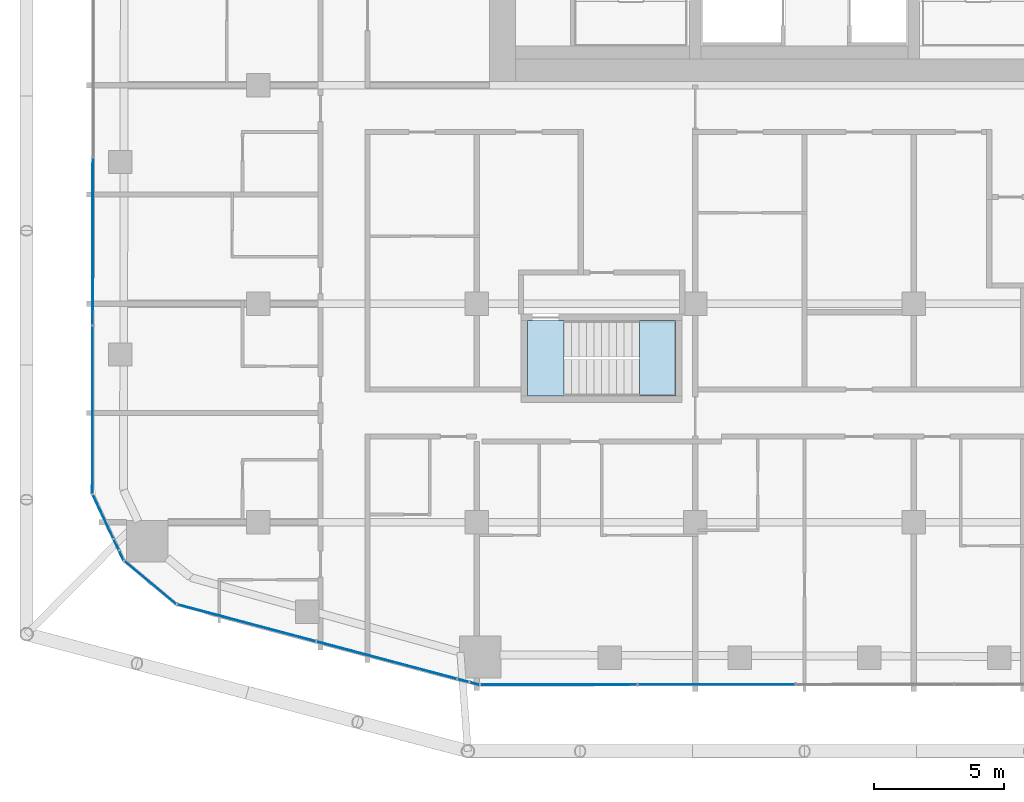
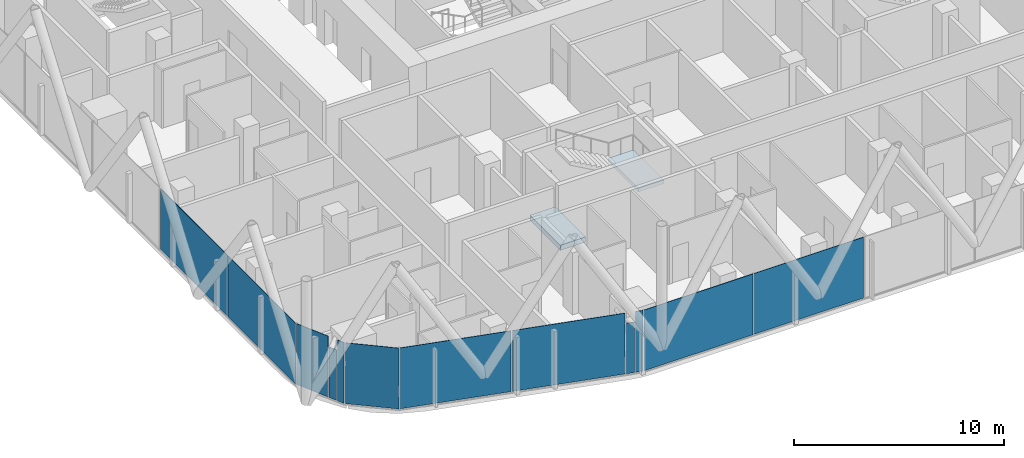
# One storey, part 18 of 33: 12 plates, 2 slabs, 10 elements without a shape of their own.
"""IFC4 building model written with IfcOpenShell, lengths in metres."""

from ifc_helpers import new_model, si_unit, direction, frame, origin, origin_2d, place, context, subcontext, project, spatial, polyline, rectangle, outline, extrude, material, layer, layer_set, type_object, element, aggregate, save


model = new_model("IFC4")

# Units and contexts
model_context = context("Model", 3, precision=1e-05, world=origin(), true_north=direction((0.0, 1.0)))
body_context = subcontext(model_context, "Body", "Model", "MODEL_VIEW")
ifc_project = project(units=[si_unit("LENGTHUNIT", "METRE"), si_unit("AREAUNIT", "SQUARE_METRE"), si_unit("VOLUMEUNIT", "CUBIC_METRE"), si_unit("PLANEANGLEUNIT", "RADIAN"), si_unit("MASSUNIT", "GRAM", prefix="KILO")], contexts=[model_context])

# Site, building, storey
site_placement = place(None, origin())
site = spatial("IfcSite", under=ifc_project, at=site_placement, CompositionType="ELEMENT")
building_placement = place(site_placement, origin())
building = spatial("IfcBuilding", under=site, at=building_placement, Name="Marenta Gate Hotel Tower", CompositionType="ELEMENT")
storey_placement = place(building_placement, frame((0.0, 0.0, 151.699951171875)))
storey = spatial("IfcBuildingStorey", under=building, at=storey_placement, Name="L35", CompositionType="ELEMENT", Elevation=151.699951171875)

# Curtain wall, plates
ifc_material_1 = material(Name="Tinted insulated glass in bronze anodised frame", Category="glass")
ifc_layer_1 = layer(ifc_material_1, 0.1201171875)
ifc_layer_set_1 = layer_set([ifc_layer_1], Name="Tinted insulated glass in bronze anodised frame")
curtain_wall_type = type_object("IfcCurtainWallType", Name="Tower unitised curtain wall CW1", PredefinedType="NOTDEFINED", material=ifc_layer_set_1)
curtain_wall_1_placement = place(storey_placement, origin())
curtain_wall_1 = element("IfcCurtainWall", 1, at=curtain_wall_1_placement, inside=storey, type_object=curtain_wall_type, Name="CW1 run G04", PredefinedType="NOTDEFINED")
ifc_material_2 = material(Name="Tinted insulated glass", Category="glass")
ifc_layer_2 = layer(ifc_material_2, 0.028076171875)
ifc_layer_set_2 = layer_set([ifc_layer_2], Name="Tinted insulated glass")
plate_type = type_object("IfcPlateType", Name="Glass panel CW1 28 mm tinted insulated unit", PredefinedType="CURTAIN_PANEL", material=ifc_layer_set_2)
plate_1_placement = place(storey_placement, frame((-27.35791015625, -6.00390625, 0.06005859375), z_axis=(0.0, 0.0, 1.0), x_axis=(-0.001566045546, -0.99999877375, 0.0)))
plate_1 = element("IfcPlate", 2, at=plate_1_placement, type_object=plate_type, Name="CW1 panel 5.1", PredefinedType="CURTAIN_PANEL", context=body_context, shape_type="SweptSolid", body=[
    extrude(rectangle(XDim=6.39990234375, YDim=0.028076171875, at=origin_2d()), origin(), (0.0, 0.0, 1.0), 3.5400390625),
])
plate_2_placement = place(storey_placement, frame((-27.367919921875, -12.478759765625, 0.06005859375), z_axis=(0.0, 0.0, 1.0), x_axis=(-0.001566045546, -0.99999877375, 0.0)))
plate_2 = element("IfcPlate", 3, at=plate_2_placement, type_object=plate_type, Name="CW1 panel 6.1", PredefinedType="CURTAIN_PANEL", context=body_context, shape_type="SweptSolid", body=[
    extrude(rectangle(XDim=6.429931640625, YDim=0.028076171875, at=origin_2d()), origin(), (0.0, 0.0, 1.0), 3.5400390625),
])
aggregate(curtain_wall_1, [plate_1, plate_2])

# Curtain wall, plate
curtain_wall_2_placement = place(storey_placement, origin())
curtain_wall_2 = element("IfcCurtainWall", 4, at=curtain_wall_2_placement, inside=storey, type_object=curtain_wall_type, Name="CW1 run G05", PredefinedType="NOTDEFINED")
plate_3_placement = place(storey_placement, frame((-26.95849609375, -16.580810546875, 0.06005859375), z_axis=(0.0, 0.0, 1.0), x_axis=(0.423346909938, -0.90596765607, 0.0)))
plate_3 = element("IfcPlate", 5, at=plate_3_placement, type_object=plate_type, Name="CW1 panel 1.1", PredefinedType="CURTAIN_PANEL", context=body_context, shape_type="SweptSolid", body=[
    extrude(rectangle(XDim=1.837890625, YDim=0.028076171875, at=origin_2d()), origin(), (0.0, 0.0, 1.0), 3.5400390625),
])
aggregate(curtain_wall_2, [plate_3])

curtain_wall_3_placement = place(storey_placement, origin())
curtain_wall_3 = element("IfcCurtainWall", 6, at=curtain_wall_3_placement, inside=storey, type_object=curtain_wall_type, Name="CW1 run G06", PredefinedType="NOTDEFINED")
plate_4_placement = place(storey_placement, frame((-26.45458984375, -17.6591796875, 0.06005859375), z_axis=(0.0, 0.0, 1.0), x_axis=(0.423361641148, -0.905960772222, 0.0)))
plate_4 = element("IfcPlate", 7, at=plate_4_placement, type_object=plate_type, Name="CW1 panel 1.1", PredefinedType="CURTAIN_PANEL", context=body_context, shape_type="SweptSolid", body=[
    extrude(rectangle(XDim=0.4228515625, YDim=0.028076171875, at=origin_2d()), origin(), (0.0, 0.0, 1.0), 2.9404296875),
])
aggregate(curtain_wall_3, [plate_4])

curtain_wall_4_placement = place(storey_placement, origin())
curtain_wall_4 = element("IfcCurtainWall", 8, at=curtain_wall_4_placement, inside=storey, type_object=curtain_wall_type, Name="CW1 run G07", PredefinedType="NOTDEFINED")
plate_5_placement = place(storey_placement, frame((-26.25732421875, -18.081298828125, 0.06005859375), z_axis=(0.0, 0.0, 1.0), x_axis=(0.42327548639, -0.906001027936, 0.0)))
plate_5 = element("IfcPlate", 9, at=plate_5_placement, type_object=plate_type, Name="CW1 panel 1.1", PredefinedType="CURTAIN_PANEL", context=body_context, shape_type="SweptSolid", body=[
    extrude(rectangle(XDim=0.38916015625, YDim=0.028076171875, at=origin_2d()), origin(), (0.0, 0.0, 1.0), 3.5400390625),
])
aggregate(curtain_wall_4, [plate_5])

curtain_wall_5_placement = place(storey_placement, origin())
curtain_wall_5 = element("IfcCurtainWall", 10, at=curtain_wall_5_placement, inside=storey, type_object=curtain_wall_type, Name="CW1 run G08", PredefinedType="NOTDEFINED")
plate_6_placement = place(storey_placement, frame((-25.14111328125, -19.1220703125, 0.06005859375), z_axis=(0.0, 0.0, 1.0), x_axis=(0.767112858807, -0.641512168126, 0.0)))
plate_6 = element("IfcPlate", 11, at=plate_6_placement, type_object=plate_type, Name="CW1 panel 1.1", PredefinedType="CURTAIN_PANEL", context=body_context, shape_type="SweptSolid", body=[
    extrude(rectangle(XDim=2.5751953125, YDim=0.028076171875, at=origin_2d()), origin(), (0.0, 0.0, 1.0), 3.5400390625),
])
aggregate(curtain_wall_5, [plate_6])

# Curtain wall, plates
curtain_wall_6_placement = place(storey_placement, origin())
curtain_wall_6 = element("IfcCurtainWall", 12, at=curtain_wall_6_placement, inside=storey, type_object=curtain_wall_type, Name="CW1 run G09", PredefinedType="NOTDEFINED")
plate_7_placement = place(storey_placement, frame((-21.44482421875, -20.6689453125, 0.06005859375), z_axis=(0.0, 0.0, 1.0), x_axis=(0.966373224743, -0.257143521209, 0.0)))
plate_7 = element("IfcPlate", 13, at=plate_7_placement, type_object=plate_type, Name="CW1 panel 1.1", PredefinedType="CURTAIN_PANEL", context=body_context, shape_type="SweptSolid", body=[
    extrude(rectangle(XDim=5.485595703125, YDim=0.028076171875, at=origin_2d()), origin(), (0.0, 0.0, 1.0), 3.5400390625),
])
plate_8_placement = place(storey_placement, frame((-16.056884765625, -22.1025390625, 0.06005859375), z_axis=(0.0, 0.0, 1.0), x_axis=(0.966373224743, -0.257143521209, 0.0)))
plate_8 = element("IfcPlate", 14, at=plate_8_placement, type_object=plate_type, Name="CW1 panel 2.1", PredefinedType="CURTAIN_PANEL", context=body_context, shape_type="SweptSolid", body=[
    extrude(rectangle(XDim=5.54541015625, YDim=0.028076171875, at=origin_2d()), origin(), (0.0, 0.0, 1.0), 3.5400390625),
])
aggregate(curtain_wall_6, [plate_7, plate_8])

# Curtain wall, plate
curtain_wall_7_placement = place(storey_placement, origin())
curtain_wall_7 = element("IfcCurtainWall", 15, at=curtain_wall_7_placement, inside=storey, type_object=curtain_wall_type, Name="CW1 run G10", PredefinedType="NOTDEFINED")
plate_9_placement = place(storey_placement, frame((-13.11669921875, -22.885009765625, 0.06005859375), z_axis=(0.0, 0.0, 1.0), x_axis=(0.966404263523, -0.257026845764, 0.0)))
plate_9 = element("IfcPlate", 16, at=plate_9_placement, type_object=plate_type, Name="CW1 panel 1.1", PredefinedType="CURTAIN_PANEL", context=body_context, shape_type="SweptSolid", body=[
    extrude(rectangle(XDim=0.419677734375, YDim=0.028076171875, at=origin_2d()), origin(), (0.0, 0.0, 1.0), 2.9404296875),
])
aggregate(curtain_wall_7, [plate_9])

curtain_wall_8_placement = place(storey_placement, origin())
curtain_wall_8 = element("IfcCurtainWall", 17, at=curtain_wall_8_placement, inside=storey, type_object=curtain_wall_type, Name="CW1 run G11", PredefinedType="NOTDEFINED")
plate_10_placement = place(storey_placement, frame((-12.680908203125, -23.0009765625, 0.06005859375), z_axis=(0.0, 0.0, 1.0), x_axis=(0.966337096576, -0.257279256414, 0.0)))
plate_10 = element("IfcPlate", 18, at=plate_10_placement, type_object=plate_type, Name="CW1 panel 1.1", PredefinedType="CURTAIN_PANEL", context=body_context, shape_type="SweptSolid", body=[
    extrude(rectangle(XDim=0.362060546875, YDim=0.028076171875, at=origin_2d()), origin(), (0.0, 0.0, 1.0), 3.5400390625),
])
aggregate(curtain_wall_8, [plate_10])

# Curtain wall, plates
curtain_wall_9_placement = place(storey_placement, origin())
curtain_wall_9 = element("IfcCurtainWall", 19, at=curtain_wall_9_placement, inside=storey, type_object=curtain_wall_type, Name="CW1 run G12", PredefinedType="NOTDEFINED")
plate_11_placement = place(storey_placement, frame((-9.449951171875, -23.043212890625, 0.06005859375), z_axis=(0.0, 0.0, 1.0), x_axis=(0.999999068791, 0.00136470383, 0.0)))
plate_11 = element("IfcPlate", 20, at=plate_11_placement, type_object=plate_type, Name="CW1 panel 1.1", PredefinedType="CURTAIN_PANEL", context=body_context, shape_type="SweptSolid", body=[
    extrude(rectangle(XDim=5.991943359375, YDim=0.028076171875, at=origin_2d()), origin(), (0.0, 0.0, 1.0), 3.5400390625),
])
plate_12_placement = place(storey_placement, frame((-3.383056640625, -23.03515625, 0.06005859375), z_axis=(0.0, 0.0, 1.0), x_axis=(0.999999068791, 0.00136470383, 0.0)))
plate_12 = element("IfcPlate", 21, at=plate_12_placement, type_object=plate_type, Name="CW1 panel 2.1", PredefinedType="CURTAIN_PANEL", context=body_context, shape_type="SweptSolid", body=[
    extrude(rectangle(XDim=6.02197265625, YDim=0.028076171875, at=origin_2d()), origin(), (0.0, 0.0, 1.0), 3.5400390625),
])
aggregate(curtain_wall_9, [plate_11, plate_12])

# Stair, slab
ifc_material_3 = material(Name="Concrete C40", Category="concrete")
stair_type = type_object("IfcStairType", Name="Remote exit stair 1400 wide", PredefinedType="HALF_TURN_STAIR", material=ifc_material_3)
stair_placement = place(storey_placement, origin())
stair = element("IfcStair", 22, at=stair_placement, inside=storey, type_object=stair_type, Name="Exit stair RS-Z2-1", PredefinedType="HALF_TURN_STAIR")
ifc_material_4 = material(Name="Concrete C40", Category="concrete")
ifc_layer_3 = layer(ifc_material_4, 0.199951171875)
ifc_layer_set_3 = layer_set([ifc_layer_3], Name="Concrete C40")
slab_type_1 = type_object("IfcSlabType", Name="Remote stair landing 200", PredefinedType="LANDING", material=ifc_layer_set_3)
slab_1_placement = place(storey_placement, frame((0.0, 0.0, 1.60009765625)))
slab_1 = element("IfcSlab", 23, at=slab_1_placement, type_object=slab_type_1, Name="RL-200 RS-Z2-1 landing 1", PredefinedType="LANDING", context=body_context, shape_type="SweptSolid", body=[
    extrude(outline(polyline([(-6.35009765625, -11.949951171875), (-4.949951171875, -11.949951171875), (-4.949951171875, -9.050048828125), (-6.35009765625, -9.050048828125), (-6.35009765625, -11.949951171875)])), origin(), (0.0, 0.0, 1.0), 0.199951171875),
])
aggregate(stair, [slab_1])

# Slab
ifc_material_5 = material(Name="Concrete C40", Category="concrete")
ifc_layer_4 = layer(ifc_material_5, 0.300048828125)
ifc_layer_set_4 = layer_set([ifc_layer_4], Name="Concrete C40")
slab_type_2 = type_object("IfcSlabType", Name="Stair floor landing slab 300", PredefinedType="FLOOR", material=ifc_layer_set_4)
slab_2_placement = place(storey_placement, frame((0.0, 0.0, -0.300048828125)))
element("IfcSlab", 24, at=slab_2_placement, inside=storey, type_object=slab_type_2, Name="L35-RS-Z2-1-CL", PredefinedType="FLOOR", context=body_context, shape_type="SweptSolid", body=[
    extrude(outline(polyline([(-9.25, -11.949951171875), (-9.25, -9.050048828125), (-10.64990234375, -9.050048828125), (-10.64990234375, -11.949951171875), (-9.25, -11.949951171875)])), origin(), (0.0, 0.0, 1.0), 0.300048828125),
])

save(model, "model.ifc")
